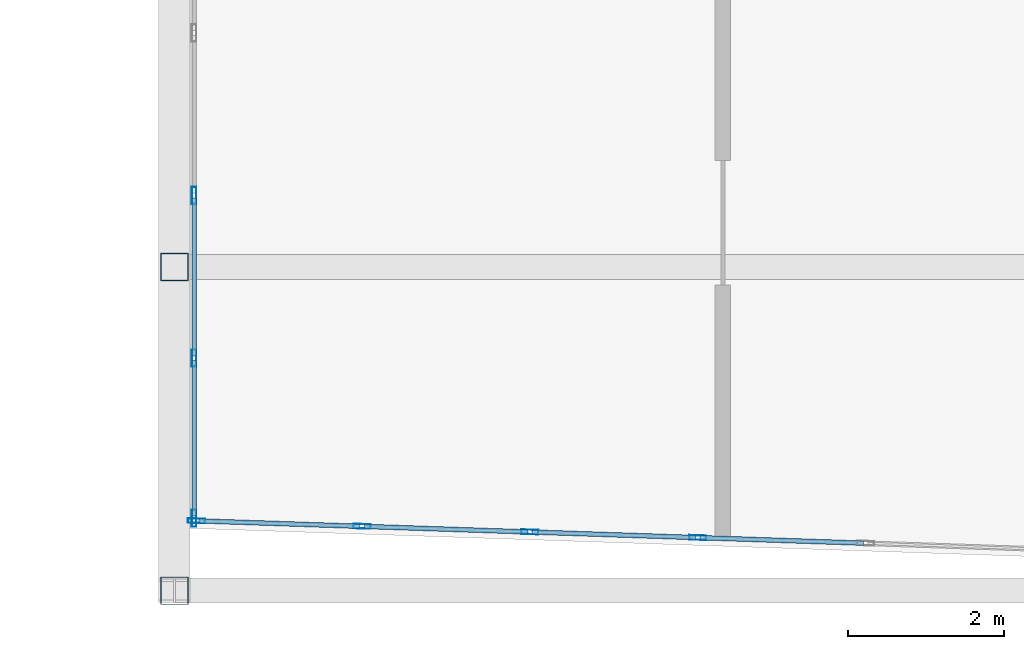
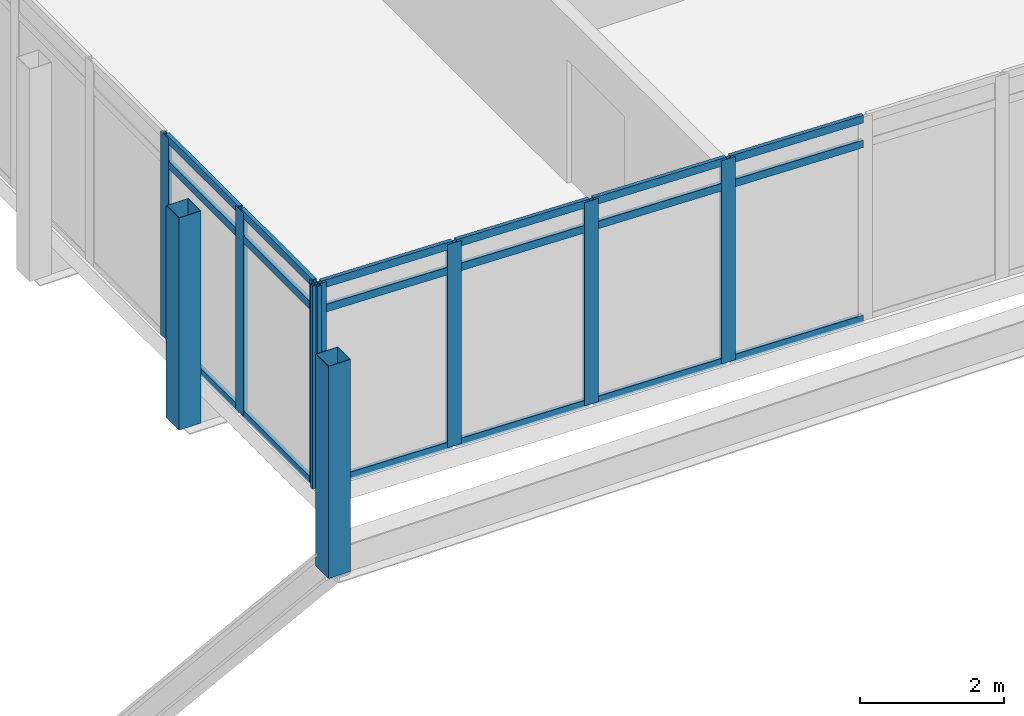
# One storey, part 2 of 38: 27 members, 2 elements without a shape of their own.
"""IFC4 building model written with IfcOpenShell, lengths in metres."""

from ifc_helpers import new_model, si_unit, direction, frame, origin, origin_2d, place, context, subcontext, project, spatial, hollow_rectangle, extrude, material, material_profile, profile_set, type_object, element, aggregate, save


model = new_model("IFC4")

# Units and contexts
model_context = context("Model", 3, precision=1e-05, world=origin(), true_north=direction((0.0, 1.0)))
body_context = subcontext(model_context, "Body", "Model", "MODEL_VIEW")
ifc_project = project(units=[si_unit("LENGTHUNIT", "METRE"), si_unit("AREAUNIT", "SQUARE_METRE"), si_unit("VOLUMEUNIT", "CUBIC_METRE"), si_unit("PLANEANGLEUNIT", "RADIAN"), si_unit("MASSUNIT", "GRAM", prefix="KILO")], contexts=[model_context])

# Site, building, storey
site_placement = place(None, origin())
site = spatial("IfcSite", under=ifc_project, at=site_placement, CompositionType="ELEMENT")
building_placement = place(site_placement, origin())
building = spatial("IfcBuilding", under=site, at=building_placement, Name="Ostrander Bayou Hotel Tower", CompositionType="ELEMENT")
storey_placement = place(building_placement, frame((0.0, 0.0, 194.5)))
storey = spatial("IfcBuildingStorey", under=building, at=storey_placement, Name="L48", CompositionType="ELEMENT", Elevation=194.5)

# Curtain wall, members
ifc_material_1 = material(Name="Aluminium and clear glass", Category="aluminium")
curtain_wall_type = type_object("IfcCurtainWallType", Name="CW-BAR glazed wall", PredefinedType="NOTDEFINED", material=ifc_material_1)
curtain_wall_1_placement = place(storey_placement, origin())
curtain_wall_1 = element("IfcCurtainWall", 1, at=curtain_wall_1_placement, inside=storey, type_object=curtain_wall_type, Name="CW-BAR L48:SB4S:E", PredefinedType="NOTDEFINED")
ifc_material_2 = material(Name="Aluminium", Category="aluminium")
ifc_material_profile_1 = material_profile(ifc_material_2, hollow_rectangle(XDim=0.06005859375, YDim=0.219970703125, WallThickness=0.00390625, at=origin_2d()))
ifc_profile_set_1 = profile_set([ifc_material_profile_1], Name="Aluminium")
member_type_1 = type_object("IfcMemberType", Name="CW-BR mullion 60 x 220 mm", PredefinedType="MULLION", material=ifc_profile_set_1)
member_1_placement = place(storey_placement, frame((-11.857177734375, -25.076904296875, 0.0), z_axis=(0.0, 0.0, 1.0), x_axis=(1.0, 0.0, 0.0)))
member_1 = element("IfcMember", 2, at=member_1_placement, type_object=member_type_1, Name="CW-BAR mullion 8", PredefinedType="MULLION", context=body_context, shape_type="SweptSolid", body=[
    extrude(hollow_rectangle(XDim=0.06005859375, YDim=0.219970703125, WallThickness=0.00390625, at=origin_2d()), origin(), (0.0, 0.0, 1.0), 3.449951171875),
])
member_2_placement = place(storey_placement, frame((-11.857177734375, -27.164794921875, 0.0), z_axis=(0.0, 0.0, 1.0), x_axis=(1.0, 0.0, 0.0)))
member_2 = element("IfcMember", 3, at=member_2_placement, type_object=member_type_1, Name="CW-BAR mullion 9", PredefinedType="MULLION", context=body_context, shape_type="SweptSolid", body=[
    extrude(hollow_rectangle(XDim=0.06005859375, YDim=0.219970703125, WallThickness=0.00390625, at=origin_2d()), origin(), (0.0, 0.0, 1.0), 3.449951171875),
])
member_3_placement = place(storey_placement, frame((-11.857177734375, -29.222412109375, 0.0), z_axis=(0.0, 0.0, 1.0), x_axis=(1.0, 0.0, 0.0)))
member_3 = element("IfcMember", 4, at=member_3_placement, type_object=member_type_1, Name="CW-BAR mullion 10", PredefinedType="MULLION", context=body_context, shape_type="SweptSolid", body=[
    extrude(hollow_rectangle(XDim=0.06005859375, YDim=0.219970703125, WallThickness=0.00390625, at=origin_2d()), origin(), (0.0, 0.0, 1.0), 3.449951171875),
])

curtain_wall_2_placement = place(storey_placement, origin())
curtain_wall_2 = element("IfcCurtainWall", 5, at=curtain_wall_2_placement, inside=storey, type_object=curtain_wall_type, Name="CW-BAR L48:SB4S:T", PredefinedType="NOTDEFINED")
member_4_placement = place(storey_placement, frame((-11.8271484375, -29.25341796875, 0.0), z_axis=(0.0, 0.0, 1.0), x_axis=(0.03350511268, 0.999438546097, 0.0)))
member_4 = element("IfcMember", 6, at=member_4_placement, type_object=member_type_1, Name="CW-BAR mullion 1", PredefinedType="MULLION", context=body_context, shape_type="SweptSolid", body=[
    extrude(hollow_rectangle(XDim=0.06005859375, YDim=0.219970703125, WallThickness=0.00390625, at=origin_2d()), origin(), (0.0, 0.0, 1.0), 3.449951171875),
])
member_5_placement = place(storey_placement, frame((-9.701416015625, -29.32470703125, 0.0), z_axis=(0.0, 0.0, 1.0), x_axis=(0.03350511268, 0.999438546097, 0.0)))
member_5 = element("IfcMember", 7, at=member_5_placement, type_object=member_type_1, Name="CW-BAR mullion 2", PredefinedType="MULLION", context=body_context, shape_type="SweptSolid", body=[
    extrude(hollow_rectangle(XDim=0.06005859375, YDim=0.219970703125, WallThickness=0.00390625, at=origin_2d()), origin(), (0.0, 0.0, 1.0), 3.449951171875),
])
member_6_placement = place(storey_placement, frame((-7.54541015625, -29.39697265625, 0.0), z_axis=(0.0, 0.0, 1.0), x_axis=(0.03350511268, 0.999438546097, 0.0)))
member_6 = element("IfcMember", 8, at=member_6_placement, type_object=member_type_1, Name="CW-BAR mullion 3", PredefinedType="MULLION", context=body_context, shape_type="SweptSolid", body=[
    extrude(hollow_rectangle(XDim=0.06005859375, YDim=0.219970703125, WallThickness=0.00390625, at=origin_2d()), origin(), (0.0, 0.0, 1.0), 3.449951171875),
])
member_7_placement = place(storey_placement, frame((-5.3896484375, -29.46923828125, 0.0), z_axis=(0.0, 0.0, 1.0), x_axis=(0.03350511268, 0.999438546097, 0.0)))
member_7 = element("IfcMember", 9, at=member_7_placement, type_object=member_type_1, Name="CW-BAR mullion 4", PredefinedType="MULLION", context=body_context, shape_type="SweptSolid", body=[
    extrude(hollow_rectangle(XDim=0.06005859375, YDim=0.219970703125, WallThickness=0.00390625, at=origin_2d()), origin(), (0.0, 0.0, 1.0), 3.449951171875),
])

# Member
ifc_material_3 = material(Name="Aluminium", Category="aluminium")
ifc_material_profile_2 = material_profile(ifc_material_3, hollow_rectangle(XDim=0.06005859375, YDim=0.1298828125, WallThickness=0.00390625, at=origin_2d()))
ifc_profile_set_2 = profile_set([ifc_material_profile_2], Name="Aluminium")
member_type_2 = type_object("IfcMemberType", Name="CW-BR transom 60 x 130 mm", PredefinedType="USERDEFINED", material=ifc_profile_set_2)
member_8_placement = place(storey_placement, frame((-11.857177734375, -25.10693359375, 0.030029296875), z_axis=(0.0, -1.0, 0.0), x_axis=(1.0, 0.0, 0.0)))
member_8 = element("IfcMember", 10, at=member_8_placement, type_object=member_type_2, Name="CW-BAR transom 8.1", ObjectType="TRANSOM", PredefinedType="USERDEFINED", context=body_context, shape_type="SweptSolid", body=[
    extrude(hollow_rectangle(XDim=0.06005859375, YDim=0.1298828125, WallThickness=0.00390625, at=origin_2d()), origin(), (0.0, 0.0, 1.0), 2.02783203125),
])

member_9_placement = place(storey_placement, frame((-11.857177734375, -25.10693359375, 3.0), z_axis=(0.0, -1.0, 0.0), x_axis=(1.0, 0.0, 0.0)))
member_9 = element("IfcMember", 11, at=member_9_placement, type_object=member_type_2, Name="CW-BAR transom 8.2", ObjectType="TRANSOM", PredefinedType="USERDEFINED", context=body_context, shape_type="SweptSolid", body=[
    extrude(hollow_rectangle(XDim=0.06005859375, YDim=0.1298828125, WallThickness=0.00390625, at=origin_2d()), origin(), (0.0, 0.0, 1.0), 2.02783203125),
])

member_10_placement = place(storey_placement, frame((-11.857177734375, -25.10693359375, 3.419921875), z_axis=(0.0, -1.0, 0.0), x_axis=(1.0, 0.0, 0.0)))
member_10 = element("IfcMember", 12, at=member_10_placement, type_object=member_type_2, Name="CW-BAR transom 8.3", ObjectType="TRANSOM", PredefinedType="USERDEFINED", context=body_context, shape_type="SweptSolid", body=[
    extrude(hollow_rectangle(XDim=0.06005859375, YDim=0.1298828125, WallThickness=0.00390625, at=origin_2d()), origin(), (0.0, 0.0, 1.0), 2.02783203125),
])

member_11_placement = place(storey_placement, frame((-11.857177734375, -27.19482421875, 0.030029296875), z_axis=(0.0, -1.0, 0.0), x_axis=(1.0, 0.0, 0.0)))
member_11 = element("IfcMember", 13, at=member_11_placement, type_object=member_type_2, Name="CW-BAR transom 9.1", ObjectType="TRANSOM", PredefinedType="USERDEFINED", context=body_context, shape_type="SweptSolid", body=[
    extrude(hollow_rectangle(XDim=0.06005859375, YDim=0.1298828125, WallThickness=0.00390625, at=origin_2d()), origin(), (0.0, 0.0, 1.0), 1.99755859375),
])

member_12_placement = place(storey_placement, frame((-11.857177734375, -27.19482421875, 3.0), z_axis=(0.0, -1.0, 0.0), x_axis=(1.0, 0.0, 0.0)))
member_12 = element("IfcMember", 14, at=member_12_placement, type_object=member_type_2, Name="CW-BAR transom 9.2", ObjectType="TRANSOM", PredefinedType="USERDEFINED", context=body_context, shape_type="SweptSolid", body=[
    extrude(hollow_rectangle(XDim=0.06005859375, YDim=0.1298828125, WallThickness=0.00390625, at=origin_2d()), origin(), (0.0, 0.0, 1.0), 1.99755859375),
])

member_13_placement = place(storey_placement, frame((-11.857177734375, -27.19482421875, 3.419921875), z_axis=(0.0, -1.0, 0.0), x_axis=(1.0, 0.0, 0.0)))
member_13 = element("IfcMember", 15, at=member_13_placement, type_object=member_type_2, Name="CW-BAR transom 9.3", ObjectType="TRANSOM", PredefinedType="USERDEFINED", context=body_context, shape_type="SweptSolid", body=[
    extrude(hollow_rectangle(XDim=0.06005859375, YDim=0.1298828125, WallThickness=0.00390625, at=origin_2d()), origin(), (0.0, 0.0, 1.0), 1.99755859375),
])

aggregate(curtain_wall_1, [member_1, member_2, member_3, member_8, member_9, member_10, member_11, member_12, member_13])

member_14_placement = place(storey_placement, frame((-11.797119140625, -29.25439453125, 0.030029296875), z_axis=(0.999437145028, -0.033546879705, 0.0), x_axis=(0.033546879705, 0.999437145028, 0.0)))
member_14 = element("IfcMember", 16, at=member_14_placement, type_object=member_type_2, Name="CW-BAR transom 1.1", ObjectType="TRANSOM", PredefinedType="USERDEFINED", context=body_context, shape_type="SweptSolid", body=[
    extrude(hollow_rectangle(XDim=0.06005859375, YDim=0.1298828125, WallThickness=0.00390625, at=origin_2d()), origin(), (0.0, 0.0, 1.0), 2.06689453125),
])

member_15_placement = place(storey_placement, frame((-11.797119140625, -29.25439453125, 3.0), z_axis=(0.999437145028, -0.033546879705, 0.0), x_axis=(0.033546879705, 0.999437145028, 0.0)))
member_15 = element("IfcMember", 17, at=member_15_placement, type_object=member_type_2, Name="CW-BAR transom 1.2", ObjectType="TRANSOM", PredefinedType="USERDEFINED", context=body_context, shape_type="SweptSolid", body=[
    extrude(hollow_rectangle(XDim=0.06005859375, YDim=0.1298828125, WallThickness=0.00390625, at=origin_2d()), origin(), (0.0, 0.0, 1.0), 2.06689453125),
])

member_16_placement = place(storey_placement, frame((-11.797119140625, -29.25439453125, 3.419921875), z_axis=(0.999437145028, -0.033546879705, 0.0), x_axis=(0.033546879705, 0.999437145028, 0.0)))
member_16 = element("IfcMember", 18, at=member_16_placement, type_object=member_type_2, Name="CW-BAR transom 1.3", ObjectType="TRANSOM", PredefinedType="USERDEFINED", context=body_context, shape_type="SweptSolid", body=[
    extrude(hollow_rectangle(XDim=0.06005859375, YDim=0.1298828125, WallThickness=0.00390625, at=origin_2d()), origin(), (0.0, 0.0, 1.0), 2.06689453125),
])

member_17_placement = place(storey_placement, frame((-9.67138671875, -29.32568359375, 0.030029296875), z_axis=(0.99943777778, -0.033528023297, 0.0), x_axis=(0.033528023297, 0.99943777778, 0.0)))
member_17 = element("IfcMember", 19, at=member_17_placement, type_object=member_type_2, Name="CW-BAR transom 2.1", ObjectType="TRANSOM", PredefinedType="USERDEFINED", context=body_context, shape_type="SweptSolid", body=[
    extrude(hollow_rectangle(XDim=0.06005859375, YDim=0.1298828125, WallThickness=0.00390625, at=origin_2d()), origin(), (0.0, 0.0, 1.0), 2.09716796875),
])

member_18_placement = place(storey_placement, frame((-9.67138671875, -29.32568359375, 3.0), z_axis=(0.99943777778, -0.033528023297, 0.0), x_axis=(0.033528023297, 0.99943777778, 0.0)))
member_18 = element("IfcMember", 20, at=member_18_placement, type_object=member_type_2, Name="CW-BAR transom 2.2", ObjectType="TRANSOM", PredefinedType="USERDEFINED", context=body_context, shape_type="SweptSolid", body=[
    extrude(hollow_rectangle(XDim=0.06005859375, YDim=0.1298828125, WallThickness=0.00390625, at=origin_2d()), origin(), (0.0, 0.0, 1.0), 2.09716796875),
])

member_19_placement = place(storey_placement, frame((-9.67138671875, -29.32568359375, 3.419921875), z_axis=(0.99943777778, -0.033528023297, 0.0), x_axis=(0.033528023297, 0.99943777778, 0.0)))
member_19 = element("IfcMember", 21, at=member_19_placement, type_object=member_type_2, Name="CW-BAR transom 2.3", ObjectType="TRANSOM", PredefinedType="USERDEFINED", context=body_context, shape_type="SweptSolid", body=[
    extrude(hollow_rectangle(XDim=0.06005859375, YDim=0.1298828125, WallThickness=0.00390625, at=origin_2d()), origin(), (0.0, 0.0, 1.0), 2.09716796875),
])

member_20_placement = place(storey_placement, frame((-7.515625, -29.39794921875, 0.030029296875), z_axis=(0.99943777778, -0.033528023297, 0.0), x_axis=(0.033528023297, 0.99943777778, 0.0)))
member_20 = element("IfcMember", 22, at=member_20_placement, type_object=member_type_2, Name="CW-BAR transom 3.1", ObjectType="TRANSOM", PredefinedType="USERDEFINED", context=body_context, shape_type="SweptSolid", body=[
    extrude(hollow_rectangle(XDim=0.06005859375, YDim=0.1298828125, WallThickness=0.00390625, at=origin_2d()), origin(), (0.0, 0.0, 1.0), 2.09716796875),
])

member_21_placement = place(storey_placement, frame((-7.515625, -29.39794921875, 3.0), z_axis=(0.99943777778, -0.033528023297, 0.0), x_axis=(0.033528023297, 0.99943777778, 0.0)))
member_21 = element("IfcMember", 23, at=member_21_placement, type_object=member_type_2, Name="CW-BAR transom 3.2", ObjectType="TRANSOM", PredefinedType="USERDEFINED", context=body_context, shape_type="SweptSolid", body=[
    extrude(hollow_rectangle(XDim=0.06005859375, YDim=0.1298828125, WallThickness=0.00390625, at=origin_2d()), origin(), (0.0, 0.0, 1.0), 2.09716796875),
])

member_22_placement = place(storey_placement, frame((-7.515625, -29.39794921875, 3.419921875), z_axis=(0.99943777778, -0.033528023297, 0.0), x_axis=(0.033528023297, 0.99943777778, 0.0)))
member_22 = element("IfcMember", 24, at=member_22_placement, type_object=member_type_2, Name="CW-BAR transom 3.3", ObjectType="TRANSOM", PredefinedType="USERDEFINED", context=body_context, shape_type="SweptSolid", body=[
    extrude(hollow_rectangle(XDim=0.06005859375, YDim=0.1298828125, WallThickness=0.00390625, at=origin_2d()), origin(), (0.0, 0.0, 1.0), 2.09716796875),
])

member_23_placement = place(storey_placement, frame((-5.359619140625, -29.47021484375, 0.030029296875), z_axis=(0.99943777778, -0.033528023297, 0.0), x_axis=(0.033528023297, 0.99943777778, 0.0)))
member_23 = element("IfcMember", 25, at=member_23_placement, type_object=member_type_2, Name="CW-BAR transom 4.1", ObjectType="TRANSOM", PredefinedType="USERDEFINED", context=body_context, shape_type="SweptSolid", body=[
    extrude(hollow_rectangle(XDim=0.06005859375, YDim=0.1298828125, WallThickness=0.00390625, at=origin_2d()), origin(), (0.0, 0.0, 1.0), 2.09716796875),
])

member_24_placement = place(storey_placement, frame((-5.359619140625, -29.47021484375, 3.0), z_axis=(0.99943777778, -0.033528023297, 0.0), x_axis=(0.033528023297, 0.99943777778, 0.0)))
member_24 = element("IfcMember", 26, at=member_24_placement, type_object=member_type_2, Name="CW-BAR transom 4.2", ObjectType="TRANSOM", PredefinedType="USERDEFINED", context=body_context, shape_type="SweptSolid", body=[
    extrude(hollow_rectangle(XDim=0.06005859375, YDim=0.1298828125, WallThickness=0.00390625, at=origin_2d()), origin(), (0.0, 0.0, 1.0), 2.09716796875),
])

member_25_placement = place(storey_placement, frame((-5.359619140625, -29.47021484375, 3.419921875), z_axis=(0.99943777778, -0.033528023297, 0.0), x_axis=(0.033528023297, 0.99943777778, 0.0)))
member_25 = element("IfcMember", 27, at=member_25_placement, type_object=member_type_2, Name="CW-BAR transom 4.3", ObjectType="TRANSOM", PredefinedType="USERDEFINED", context=body_context, shape_type="SweptSolid", body=[
    extrude(hollow_rectangle(XDim=0.06005859375, YDim=0.1298828125, WallThickness=0.00390625, at=origin_2d()), origin(), (0.0, 0.0, 1.0), 2.09716796875),
])

aggregate(curtain_wall_2, [member_4, member_5, member_6, member_7, member_14, member_15, member_16, member_17, member_18, member_19, member_20, member_21, member_22, member_23, member_24, member_25])

# Members
ifc_material_4 = material(Name="Steel ASTM A500 Gr C", Category="steel")
ifc_material_profile_3 = material_profile(ifc_material_4, hollow_rectangle(XDim=0.355712890625, YDim=0.355712890625, WallThickness=0.0087890625, at=origin_2d()))
ifc_profile_set_3 = profile_set([ifc_material_profile_3], Name="Steel ASTM A500 Gr C")
member_type_3 = type_object("IfcMemberType", Name="TH3 bar hanger HSS14x14x3/8", PredefinedType="POST", material=ifc_profile_set_3)
for number, where, z_axis, x_axis, name in (
    (28, (-12.110107421875, -25.995361328125, -0.760986328125), (0.0, 0.0, 1.0), (1.0, 0.0, 0.0), "TH3 SB4SA H2-1"),
    (29, (-12.110107421875, -30.14990234375, -0.760986328125), (0.0, 0.0, 1.0), (1.0, 0.0, 0.0), "TH3 SB4SA H3-1"),
):
    element("IfcMember", number, at=place(storey_placement, frame(where, z_axis=z_axis, x_axis=x_axis)), inside=storey, type_object=member_type_3, Name=name, PredefinedType="POST", context=body_context, shape_type="SweptSolid", body=[
        extrude(hollow_rectangle(XDim=0.355712890625, YDim=0.355712890625, WallThickness=0.0087890625, at=origin_2d()), origin(), (0.0, 0.0, 1.0), 3.599853515625),
    ])

save(model, "model.ifc")
